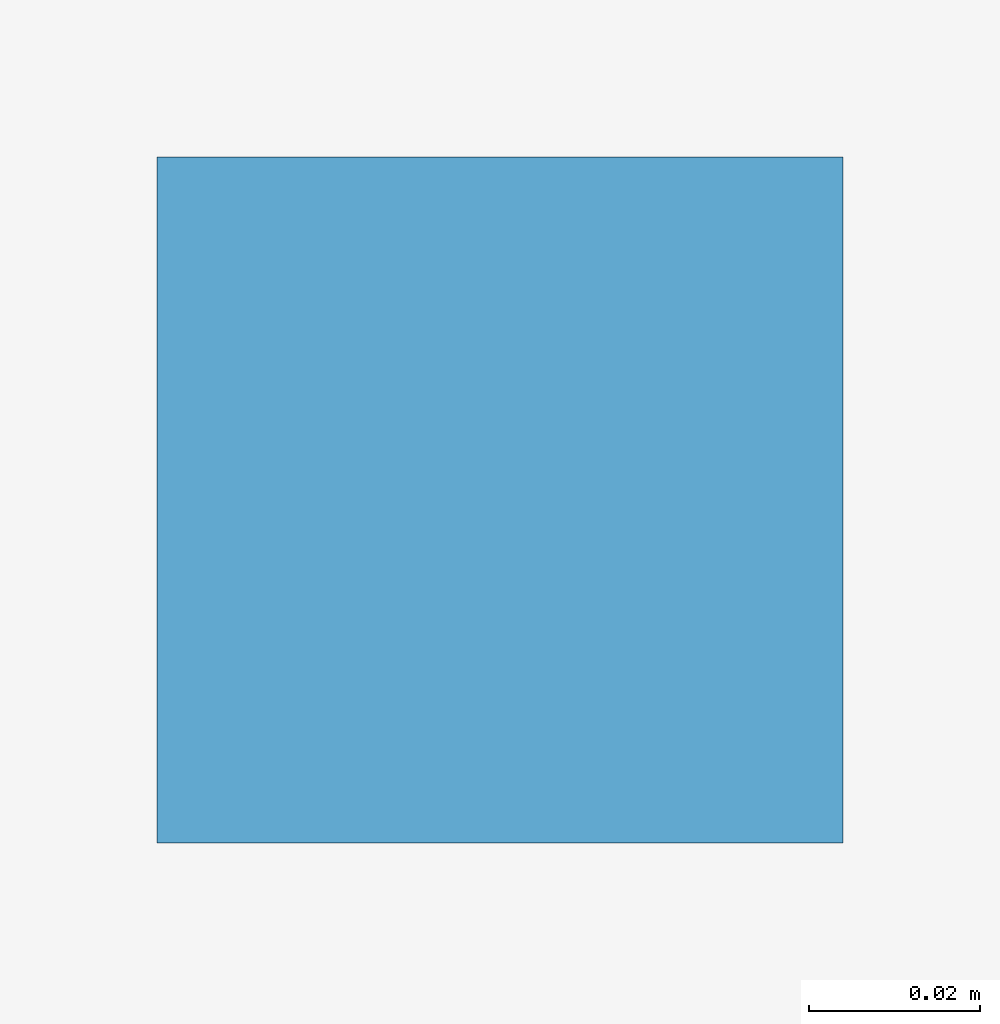
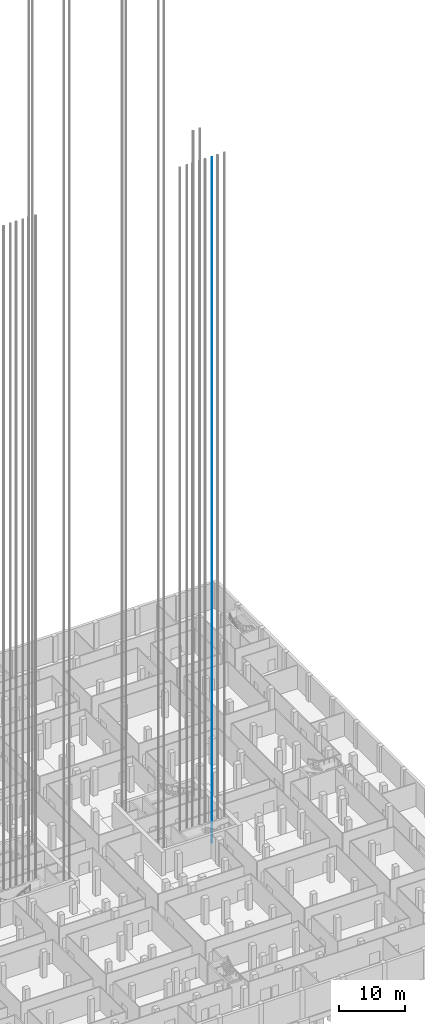
# One storey, part 47 of 54: 1 discrete accessory.
"""IFC4 building model written with IfcOpenShell, lengths in metres."""

from ifc_helpers import new_model, si_unit, direction, frame, origin, origin_2d, place, context, subcontext, project, spatial, rectangle, extrude, material, element, save


model = new_model("IFC4")

# Units and contexts
model_context = context("Model", 3, precision=1e-05, world=origin(), true_north=direction((0.0, 1.0)))
body_context = subcontext(model_context, "Body", "Model", "MODEL_VIEW")
ifc_project = project(units=[si_unit("LENGTHUNIT", "METRE"), si_unit("AREAUNIT", "SQUARE_METRE"), si_unit("VOLUMEUNIT", "CUBIC_METRE"), si_unit("PLANEANGLEUNIT", "RADIAN"), si_unit("MASSUNIT", "GRAM", prefix="KILO")], contexts=[model_context])

# Site, building, storey
site_placement = place(None, origin())
site = spatial("IfcSite", under=ifc_project, at=site_placement, CompositionType="ELEMENT")
building_placement = place(site_placement, origin())
building = spatial("IfcBuilding", under=site, at=building_placement, Name="Fustian Cross Tower", CompositionType="ELEMENT")
storey_placement = place(building_placement, frame((0.0, 0.0, -4.800048828125)))
storey = spatial("IfcBuildingStorey", under=building, at=storey_placement, Name="B1", CompositionType="ELEMENT", Elevation=-4.800048828125)

# Discrete accessory
ifc_material = material(Name="Steel S355", Category="steel")
discrete_accessory_placement = place(storey_placement, frame((18.27490234375, -3.7099609375, 0.0), z_axis=(0.0, 0.0, 1.0), x_axis=(1.0, 0.0, 0.0)))
element("IfcDiscreteAccessory", 1, at=discrete_accessory_placement, inside=storey, material=ifc_material, Name="Lift guide rail LR3 2", PredefinedType="NOTDEFINED", context=body_context, shape_type="SweptSolid", body=[
    extrude(rectangle(XDim=0.080078125, YDim=0.080078125, at=origin_2d()), origin(), (0.0, 0.0, 1.0), 127.14990234375),
])

save(model, "model.ifc")
